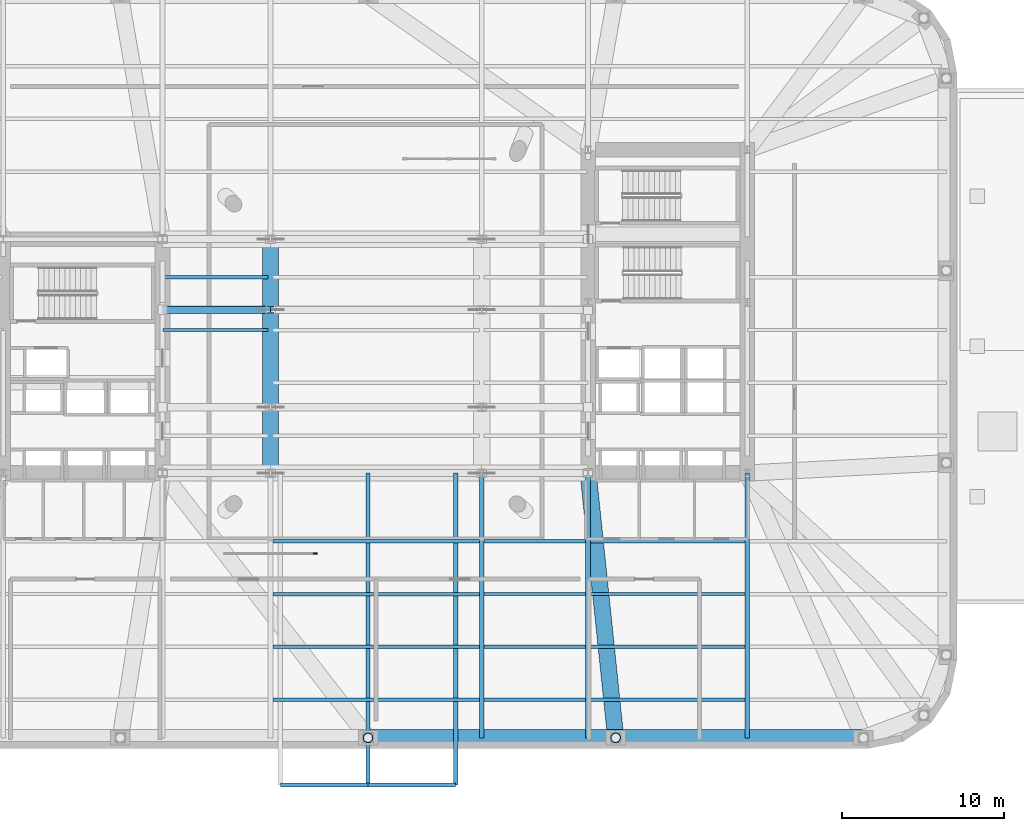
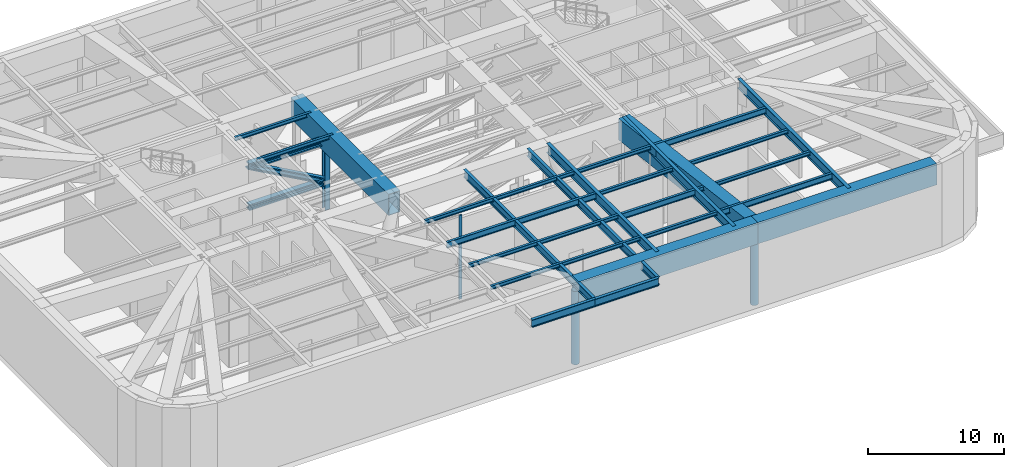
# One storey, part 3 of 15: 25 beams, 7 members, 1 element without a shape of its own.
"""IFC4 building model written with IfcOpenShell, lengths in metres."""

import ifcopenshell
import ifcopenshell.guid

model = None  # the IFC model being written
_history = None  # IfcOwnerHistory: only IFC2X3 demands one
_inside = {}  # id of a spatial element -> (the spatial element, [elements in it])
_under = {}  # id of a project, library or spatial element -> (it, [spatial elements below it])
_declared = {}  # id of a project -> (the project, [libraries it declares])
_typed = {}  # id of a type object -> (the type object, [elements of that type])
_made_of = {}  # id of a material, layer set ... -> (it, [elements and type objects made of it])


def new_model(schema):
    """Start an empty IFC model of exactly this schema.

    Asked for "IFC4X3", IfcOpenShell would pick the latest addendum, in which some entities
    have other attributes; the version numbers below select the first issue.
    IFC2X3 requires an IfcOwnerHistory on every rooted entity: one is made here for all.
    """
    global model, _history
    if schema == "IFC4X3":
        model = ifcopenshell.file(schema_version=(4, 3, 0, 0))
    else:
        model = ifcopenshell.file(schema=schema)
    _inside.clear()
    _under.clear()
    _declared.clear()
    _typed.clear()
    _made_of.clear()
    _history = None
    if model.schema == "IFC2X3":
        org = make("IfcOrganization", Name="unknown")
        user = make(
            "IfcPersonAndOrganization",
            ThePerson=make("IfcPerson", FamilyName="unknown"),
            TheOrganization=org,
        )
        app = make(
            "IfcApplication",
            ApplicationDeveloper=org,
            Version="unknown",
            ApplicationFullName="unknown",
            ApplicationIdentifier="unknown",
        )
        _history = make(
            "IfcOwnerHistory",
            OwningUser=user,
            OwningApplication=app,
            ChangeAction="ADDED",
            CreationDate=0,
        )
    return model


def make(cls, **values):
    """One entity of the class cls with the attributes given. An attribute that is None is left unset."""
    return model.create_entity(
        cls, **{name: value for name, value in values.items() if value is not None}
    )


def rooted(cls, **values):
    """An entity with a GlobalId (a new one), such as an element, a storey or a relation."""
    return make(cls, GlobalId=ifcopenshell.guid.new(), OwnerHistory=_history, **values)


def si_unit(unit_type, name, prefix=None):
    """IfcSIUnit, for example si_unit("LENGTHUNIT", "METRE", prefix="MILLI")."""
    return make("IfcSIUnit", UnitType=unit_type, Prefix=prefix, Name=name)


def assignment(units):
    """IfcUnitAssignment: the units of a project."""
    return None if units is None else make("IfcUnitAssignment", Units=units)


def point(xyz):
    """IfcCartesianPoint."""
    return None if xyz is None else make("IfcCartesianPoint", Coordinates=xyz)


def direction(xyz):
    """IfcDirection."""
    return None if xyz is None else make("IfcDirection", DirectionRatios=xyz)


def frame(location, z_axis=None, x_axis=None):
    """IfcAxis2Placement3D, a coordinate frame: its origin and axes. An axis left out is left unset."""
    return make(
        "IfcAxis2Placement3D",
        Location=point(location),
        Axis=direction(z_axis),
        RefDirection=direction(x_axis),
    )


def frame_2d(location, x_axis=None):
    """IfcAxis2Placement2D, a coordinate frame in the plane: its origin and x axis."""
    return make(
        "IfcAxis2Placement2D", Location=point(location), RefDirection=direction(x_axis)
    )


def origin():
    """The frame at (0, 0, 0) with its axes left unset."""
    return frame((0.0, 0.0, 0.0))


def origin_2d():
    """The frame at (0, 0) in the plane with its x axis left unset."""
    return frame_2d((0.0, 0.0))


def place(relative_to, where):
    """IfcLocalPlacement: puts the frame where relative to a parent placement (None: the world)."""
    return make(
        "IfcLocalPlacement", PlacementRelTo=relative_to, RelativePlacement=where
    )


def context(
    kind, dimensions, precision=None, world=None, true_north=None, identifier=None
):
    """IfcGeometricRepresentationContext, for example the 3D "Model" context."""
    return make(
        "IfcGeometricRepresentationContext",
        ContextIdentifier=identifier,
        ContextType=kind,
        CoordinateSpaceDimension=dimensions,
        Precision=precision,
        WorldCoordinateSystem=world,
        TrueNorth=true_north,
    )


def subcontext(parent, identifier, kind, view, scale=None):
    """IfcGeometricRepresentationSubContext, for example "Body" below "Model"."""
    return make(
        "IfcGeometricRepresentationSubContext",
        ContextIdentifier=identifier,
        ContextType=kind,
        ParentContext=parent,
        TargetScale=scale,
        TargetView=view,
    )


def project(units=None, contexts=None):
    """IfcProject with its units and contexts."""
    return rooted(
        "IfcProject",
        Name="project",
        RepresentationContexts=contexts,
        UnitsInContext=assignment(units),
    )


def spatial(cls, under=None, at=None, **own):
    """A site, building, storey or space (cls), placed at a placement, below another one or the project."""
    s = rooted(cls, ObjectPlacement=at, **own)
    if under is not None:
        _under.setdefault(under.id(), (under, []))[1].append(s)
    return s


def profile(cls, at=None, kind="AREA", **sizes):
    """A parametric profile (cls). Its sizes go by their IFC names, for example OverallWidth=200.0."""
    return make(cls, ProfileType=kind, Position=at, **sizes)


def rectangle(**sizes):
    """IfcRectangleProfileDef."""
    return profile("IfcRectangleProfileDef", **sizes)


def hollow_rectangle(**sizes):
    """IfcRectangleHollowProfileDef."""
    return profile("IfcRectangleHollowProfileDef", **sizes)


def hollow_circle(**sizes):
    """IfcCircleHollowProfileDef."""
    return profile("IfcCircleHollowProfileDef", **sizes)


def i_section(**sizes):
    """IfcIShapeProfileDef."""
    return profile("IfcIShapeProfileDef", **sizes)


def extrude(swept, where, along, depth):
    """IfcExtrudedAreaSolid: the profile swept, set in the frame where, extruded along a direction by depth."""
    return make(
        "IfcExtrudedAreaSolid",
        SweptArea=swept,
        Position=where,
        ExtrudedDirection=direction(along),
        Depth=depth,
    )


def shape(context_of_items, identifier, shape_type, items):
    """IfcShapeRepresentation: the items that make up one representation, for example the "Body"."""
    return make(
        "IfcShapeRepresentation",
        ContextOfItems=context_of_items,
        RepresentationIdentifier=identifier,
        RepresentationType=shape_type,
        Items=items,
    )


def material(Name=None, Category=None):
    """IfcMaterial."""
    return make("IfcMaterial", Name=Name, Category=Category)


def material_profile(
    of_material, cross_section, Name=None, Category=None, Priority=None
):
    """IfcMaterialProfile: a cross section and its material."""
    return make(
        "IfcMaterialProfile",
        Name=Name,
        Material=of_material,
        Profile=cross_section,
        Priority=Priority,
        Category=Category,
    )


def profile_set(profiles, Name=None, composite=None):
    """IfcMaterialProfileSet."""
    return make(
        "IfcMaterialProfileSet",
        Name=Name,
        MaterialProfiles=profiles,
        CompositeProfile=composite,
    )


def made_of(thing, what):
    """Note that an element or type object is made of a material, layer set ...; save() writes the relation."""
    if what is not None:
        _made_of.setdefault(what.id(), (what, []))[1].append(thing)
    return thing


def type_object(cls, material=None, **own):
    """A type object (cls), such as IfcWallType, which elements share."""
    return made_of(rooted(cls, **own), material)


def element(
    cls,
    number,
    at=None,
    inside=None,
    cuts=None,
    type_object=None,
    material=None,
    context=None,
    identifier="Body",
    shape_type=None,
    held_by="IfcProductDefinitionShape",
    body=None,
    shapes=None,
    **own,
):
    """One element of the class cls, such as IfcWall. Its Tag is "e" and its number.

    at: its placement. inside: the storey or other place that contains it. cuts: it is an
    opening in that element (IfcRelVoidsElement). A single representation is given by context,
    identifier, shape_type and body (its items); several are given by shapes. held_by: the class
    of the entity that holds the representations. save() writes the other relations.
    """
    e = rooted(cls, Tag="e%d" % number, ObjectPlacement=at, **own)
    if body is not None:
        shapes = [shape(context, identifier, shape_type, body)]
    if shapes is not None:
        e.Representation = make(held_by, Representations=shapes)
    if inside is not None:
        _inside.setdefault(inside.id(), (inside, []))[1].append(e)
    if cuts is not None:
        rooted(
            "IfcRelVoidsElement", RelatingBuildingElement=cuts, RelatedOpeningElement=e
        )
    if type_object is not None:
        _typed.setdefault(type_object.id(), (type_object, []))[1].append(e)
    return made_of(e, material)


def aggregate(whole, parts):
    """IfcRelAggregates: a whole, such as a stair, and the parts it consists of."""
    return rooted("IfcRelAggregates", RelatingObject=whole, RelatedObjects=parts)


def save(model, path):
    """Write the relations noted so far, then the file.

    IfcRelAggregates (storeys below a building ...), IfcRelContainedInSpatialStructure (elements
    in a storey), IfcRelDefinesByType, IfcRelAssociatesMaterial and IfcRelDeclares: one each for
    every whole, place, type object, material and project.
    """
    for whole, parts in _under.values():
        aggregate(whole, parts)
    for where, things in _inside.values():
        rooted(
            "IfcRelContainedInSpatialStructure",
            RelatedElements=things,
            RelatingStructure=where,
        )
    for kind, things in _typed.values():
        rooted("IfcRelDefinesByType", RelatedObjects=things, RelatingType=kind)
    for what, things in _made_of.values():
        rooted("IfcRelAssociatesMaterial", RelatedObjects=things, RelatingMaterial=what)
    for by, libraries in _declared.values():
        rooted("IfcRelDeclares", RelatingContext=by, RelatedDefinitions=libraries)
    model.write(path)


model = new_model("IFC4")

# Units and contexts
model_context = context("Model", 3, precision=1e-05, world=origin(), true_north=direction((0.0, 1.0)))
body_context = subcontext(model_context, "Body", "Model", "MODEL_VIEW")
ifc_project = project(units=[si_unit("LENGTHUNIT", "METRE"), si_unit("AREAUNIT", "SQUARE_METRE"), si_unit("VOLUMEUNIT", "CUBIC_METRE"), si_unit("PLANEANGLEUNIT", "RADIAN"), si_unit("MASSUNIT", "GRAM", prefix="KILO")], contexts=[model_context])

# Site, building, storey
site_placement = place(None, origin())
site = spatial("IfcSite", under=ifc_project, at=site_placement, CompositionType="ELEMENT")
building_placement = place(site_placement, origin())
building = spatial("IfcBuilding", under=site, at=building_placement, Name="Kolvaren Arena Tower", CompositionType="ELEMENT")
storey_placement = place(building_placement, frame((0.0, 0.0, 34.0)))
storey = spatial("IfcBuildingStorey", under=building, at=storey_placement, Name="L06", CompositionType="ELEMENT", Elevation=34.0)

# Beams
ifc_material_1 = material(Name="Steel CSA G40.21 350W", Category="steel")
ifc_material_profile_1 = material_profile(ifc_material_1, i_section(OverallWidth=0.2119140625, OverallDepth=0.54296875, WebThickness=0.01318359375, FlangeThickness=0.0244140625, FilletRadius=0.013916015625, at=origin_2d()), Name="W530x150")
ifc_profile_set_1 = profile_set([ifc_material_profile_1], Name="Steel CSA G40.21 350W")
beam_type_1 = type_object("IfcBeamType", Name="BEAM-F1", PredefinedType="BEAM", material=ifc_profile_set_1)
beam_1_placement = place(storey_placement, frame((50.696044921875, 5.5, 7.278564453125), z_axis=(1.0, 0.0, 0.0), x_axis=(0.0, 1.0, 0.0)))
element("IfcBeam", 1, at=beam_1_placement, inside=storey, type_object=beam_type_1, Name="Composite Floor Beam (L06)", PredefinedType="BEAM", context=body_context, shape_type="SweptSolid", body=[
    extrude(i_section(OverallWidth=0.2119140625, OverallDepth=0.54296875, WebThickness=0.01318359375, FlangeThickness=0.0244140625, FilletRadius=0.013916015625, at=origin_2d()), origin(), (0.0, 0.0, 1.0), 9.508056640625),
])
beam_2_placement = place(storey_placement, frame((44.14599609375, 8.75, 7.278564453125), z_axis=(1.0, 0.0, 0.0), x_axis=(0.0, 1.0, 0.0)))
element("IfcBeam", 2, at=beam_2_placement, inside=storey, type_object=beam_type_1, Name="Composite Floor Beam (L06)", PredefinedType="BEAM", context=body_context, shape_type="SweptSolid", body=[
    extrude(i_section(OverallWidth=0.2119140625, OverallDepth=0.54296875, WebThickness=0.01318359375, FlangeThickness=0.0244140625, FilletRadius=0.013916015625, at=origin_2d()), origin(), (0.0, 0.0, 1.0), 6.258056640625),
])
beam_3_placement = place(storey_placement, frame((31.14599609375, 12.0, 7.278564453125), z_axis=(1.0, 0.0, 0.0), x_axis=(0.0, 1.0, 0.0)))
element("IfcBeam", 3, at=beam_3_placement, inside=storey, type_object=beam_type_1, Name="Composite Floor Beam (L06)", PredefinedType="BEAM", context=body_context, shape_type="SweptSolid", body=[
    extrude(i_section(OverallWidth=0.2119140625, OverallDepth=0.54296875, WebThickness=0.01318359375, FlangeThickness=0.0244140625, FilletRadius=0.013916015625, at=origin_2d()), origin(), (0.0, 0.0, 1.0), 12.7080078125),
])
beam_4_placement = place(storey_placement, frame((50.696044921875, 15.25, 7.278564453125), z_axis=(1.0, 0.0, 0.0), x_axis=(0.0, 1.0, 0.0)))
element("IfcBeam", 4, at=beam_4_placement, inside=storey, type_object=beam_type_1, Name="Composite Floor Beam (L06)", PredefinedType="BEAM", context=body_context, shape_type="SweptSolid", body=[
    extrude(i_section(OverallWidth=0.2119140625, OverallDepth=0.54296875, WebThickness=0.01318359375, FlangeThickness=0.0244140625, FilletRadius=0.013916015625, at=origin_2d()), origin(), (0.0, 0.0, 1.0), 9.508056640625),
])

# Curtain wall, member
ifc_material_2 = material(Name="Anodised aluminium unitised curtain wall", Category="aluminium")
curtain_wall_type = type_object("IfcCurtainWallType", Name="CW-SYS-05", PredefinedType="USERDEFINED", material=ifc_material_2)
curtain_wall_placement = place(storey_placement, origin())
curtain_wall = element("IfcCurtainWall", 5, at=curtain_wall_placement, inside=storey, type_object=curtain_wall_type, Name="Mechanical Plant Louvre Curtain Wall (L06)", ObjectType="ACOUSTIC LOUVRE SCREEN", PredefinedType="USERDEFINED")
ifc_material_3 = material(Name="Anodised aluminium 6063-T6", Category="aluminium")
ifc_material_profile_2 = material_profile(ifc_material_3, rectangle(XDim=0.10009765625, YDim=0.239990234375, at=origin_2d()), Name="ALU-100x240")
ifc_profile_set_2 = profile_set([ifc_material_profile_2], Name="Anodised aluminium 6063-T6")
member_type_1 = type_object("IfcMemberType", Name="CWM-HVY", PredefinedType="MULLION", material=ifc_profile_set_2)
member_1_placement = place(storey_placement, frame((33.75, 14.5, 0.0), z_axis=(0.0, 0.0, 1.0), x_axis=(0.0, 1.0, 0.0)))
member_1 = element("IfcMember", 6, at=member_1_placement, type_object=member_type_1, Name="CW5 mullion 3", PredefinedType="MULLION", context=body_context, shape_type="SweptSolid", body=[
    extrude(rectangle(XDim=0.10009765625, YDim=0.239990234375, at=origin_2d()), origin(), (0.0, 0.0, 1.0), 7.550048828125),
])
aggregate(curtain_wall, [member_1])

# Members
ifc_material_4 = material(Name="Steel CSA G40.21 350WT", Category="steel")
ifc_material_profile_3 = material_profile(ifc_material_4, hollow_circle(Radius=0.304931640625, WallThickness=0.028076171875, at=origin_2d()), Name="CHS 610x28")
ifc_profile_set_3 = profile_set([ifc_material_profile_3], Name="Steel CSA G40.21 350WT")
member_type_2 = type_object("IfcMemberType", Name="EXO-STRUT1", PredefinedType="STRUT", material=ifc_profile_set_3)
for number, where, z_axis, x_axis, name in (
    (7, (37.0, 3.14990234375, 0.0), (0.0, 0.0, 1.0), (1.0, 0.0, 0.0), "B1 Transfer Exoskeleton Strut 03"),
    (8, (52.25, 3.14990234375, 0.0), (0.0, 0.0, 1.0), (1.0, 0.0, 0.0), "B1 Transfer Exoskeleton Strut 04"),
):
    element("IfcMember", number, at=place(storey_placement, frame(where, z_axis=z_axis, x_axis=x_axis)), inside=storey, type_object=member_type_2, Name=name, PredefinedType="STRUT", context=body_context, shape_type="SweptSolid", body=[
        extrude(hollow_circle(Radius=0.304931640625, WallThickness=0.028076171875, at=origin_2d()), origin(), (0.0, 0.0, 1.0), 6.590087890625),
    ])

# Beams
ifc_material_profile_4 = material_profile(ifc_material_1, i_section(OverallWidth=0.2919921875, OverallDepth=0.85498046875, WebThickness=0.02099609375, FlangeThickness=0.03564453125, FilletRadius=0.01806640625, at=origin_2d()), Name="W840x299")
ifc_profile_set_4 = profile_set([ifc_material_profile_4], Name="Steel CSA G40.21 350W")
beam_type_2 = type_object("IfcBeamType", Name="GIRD-P1", PredefinedType="BEAM", material=ifc_profile_set_4)
beam_5_placement = place(storey_placement, frame((44.0, 3.14990234375, 7.12255859375), z_axis=(0.0, 1.0, 0.0), x_axis=(-1.0, 0.0, 0.0)))
element("IfcBeam", 9, at=beam_5_placement, inside=storey, type_object=beam_type_2, Name="Primary Floor Girder (L06)", PredefinedType="BEAM", context=body_context, shape_type="SweptSolid", body=[
    extrude(i_section(OverallWidth=0.2919921875, OverallDepth=0.85498046875, WebThickness=0.02099609375, FlangeThickness=0.03564453125, FilletRadius=0.01806640625, at=origin_2d()), origin(), (0.0, 0.0, 1.0), 16.154052734375),
])
for number, where, z_axis, x_axis, name in (
    (10, (50.550048828125, 3.14990234375, 7.12255859375), (0.0, 1.0, 0.0), (-1.0, 0.0, 0.0), "Primary Floor Girder (L06)"),
    (11, (60.35009765625, 3.14990234375, 7.12255859375), (0.0, 1.0, 0.0), (-1.0, 0.0, 0.0), "Primary Floor Girder (L06)"),
):
    element("IfcBeam", number, at=place(storey_placement, frame(where, z_axis=z_axis, x_axis=x_axis)), inside=storey, type_object=beam_type_2, Name=name, PredefinedType="BEAM", context=body_context, shape_type="SweptSolid", body=[
        extrude(i_section(OverallWidth=0.2919921875, OverallDepth=0.85498046875, WebThickness=0.02099609375, FlangeThickness=0.03564453125, FilletRadius=0.01806640625, at=origin_2d()), origin(), (0.0, 0.0, 1.0), 16.300048828125),
    ])
ifc_material_profile_5 = material_profile(ifc_material_1, i_section(OverallWidth=0.2548828125, OverallDepth=0.695068359375, WebThickness=0.01708984375, FlangeThickness=0.02978515625, FilletRadius=0.01611328125, at=origin_2d()), Name="W690x217")
ifc_profile_set_5 = profile_set([ifc_material_profile_5], Name="Steel CSA G40.21 350W")
beam_type_3 = type_object("IfcBeamType", Name="GIRD-T2", PredefinedType="BEAM", material=ifc_profile_set_5)
for number, where, z_axis, x_axis, name in (
    (12, (37.0, 19.449951171875, 7.202392578125), (0.0, -1.0, 0.0), (1.0, 0.0, 0.0), "Terrace Cantilever Support Girder (L07)"),
    (13, (42.39990234375, 19.449951171875, 7.202392578125), (0.0, -1.0, 0.0), (1.0, 0.0, 0.0), "Terrace Cantilever Support Girder (L07)"),
):
    element("IfcBeam", number, at=place(storey_placement, frame(where, z_axis=z_axis, x_axis=x_axis)), inside=storey, type_object=beam_type_3, Name=name, PredefinedType="BEAM", context=body_context, shape_type="SweptSolid", body=[
        extrude(i_section(OverallWidth=0.2548828125, OverallDepth=0.695068359375, WebThickness=0.01708984375, FlangeThickness=0.02978515625, FilletRadius=0.01611328125, at=origin_2d()), origin(), (0.0, 0.0, 1.0), 19.199951171875),
    ])
for number, where, z_axis, x_axis, name in (
    (14, (31.60009765625, 0.25, 7.202392578125), (1.0, 0.0, 0.0), (0.0, 1.0, 0.0), "Terrace Edge Fascia Beam (L07)"),
    (15, (37.0, 0.25, 7.202392578125), (1.0, 0.0, 0.0), (0.0, 1.0, 0.0), "Terrace Edge Fascia Beam (L07)"),
):
    element("IfcBeam", number, at=place(storey_placement, frame(where, z_axis=z_axis, x_axis=x_axis)), inside=storey, type_object=beam_type_3, Name=name, PredefinedType="BEAM", context=body_context, shape_type="SweptSolid", body=[
        extrude(i_section(OverallWidth=0.2548828125, OverallDepth=0.695068359375, WebThickness=0.01708984375, FlangeThickness=0.02978515625, FilletRadius=0.01611328125, at=origin_2d()), origin(), (0.0, 0.0, 1.0), 5.39990234375),
    ])
ifc_material_profile_6 = material_profile(ifc_material_1, i_section(OverallWidth=0.202880859375, OverallDepth=0.346923828125, WebThickness=0.0078125, FlangeThickness=0.013427734375, FilletRadius=0.010986328125, at=origin_2d()), Name="W360x64")
ifc_profile_set_6 = profile_set([ifc_material_profile_6], Name="Steel CSA G40.21 350W")
beam_type_4 = type_object("IfcBeamType", Name="JOIST-01", PredefinedType="JOIST", material=ifc_profile_set_6)
beam_6_placement = place(storey_placement, frame((31.14599609375, 5.5, 7.37646484375), z_axis=(1.0, 0.0, 0.0), x_axis=(0.0, 1.0, 0.0)))
element("IfcBeam", 16, at=beam_6_placement, inside=storey, type_object=beam_type_4, Name="Composite Floor Joist (L06)", PredefinedType="JOIST", context=body_context, shape_type="SweptSolid", body=[
    extrude(i_section(OverallWidth=0.202880859375, OverallDepth=0.346923828125, WebThickness=0.0078125, FlangeThickness=0.013427734375, FilletRadius=0.010986328125, at=origin_2d()), origin(), (0.0, 0.0, 1.0), 12.7080078125),
])
beam_7_placement = place(storey_placement, frame((44.14599609375, 5.5, 7.37646484375), z_axis=(1.0, 0.0, 0.0), x_axis=(0.0, 1.0, 0.0)))
element("IfcBeam", 17, at=beam_7_placement, inside=storey, type_object=beam_type_4, Name="Composite Floor Joist (L06)", PredefinedType="JOIST", context=body_context, shape_type="SweptSolid", body=[
    extrude(i_section(OverallWidth=0.202880859375, OverallDepth=0.346923828125, WebThickness=0.0078125, FlangeThickness=0.013427734375, FilletRadius=0.010986328125, at=origin_2d()), origin(), (0.0, 0.0, 1.0), 6.258056640625),
])
beam_8_placement = place(storey_placement, frame((31.14599609375, 8.75, 7.37646484375), z_axis=(1.0, 0.0, 0.0), x_axis=(0.0, 1.0, 0.0)))
element("IfcBeam", 18, at=beam_8_placement, inside=storey, type_object=beam_type_4, Name="Composite Floor Joist (L06)", PredefinedType="JOIST", context=body_context, shape_type="SweptSolid", body=[
    extrude(i_section(OverallWidth=0.202880859375, OverallDepth=0.346923828125, WebThickness=0.0078125, FlangeThickness=0.013427734375, FilletRadius=0.010986328125, at=origin_2d()), origin(), (0.0, 0.0, 1.0), 12.7080078125),
])
beam_9_placement = place(storey_placement, frame((50.696044921875, 8.75, 7.37646484375), z_axis=(1.0, 0.0, 0.0), x_axis=(0.0, 1.0, 0.0)))
element("IfcBeam", 19, at=beam_9_placement, inside=storey, type_object=beam_type_4, Name="Composite Floor Joist (L06)", PredefinedType="JOIST", context=body_context, shape_type="SweptSolid", body=[
    extrude(i_section(OverallWidth=0.202880859375, OverallDepth=0.346923828125, WebThickness=0.0078125, FlangeThickness=0.013427734375, FilletRadius=0.010986328125, at=origin_2d()), origin(), (0.0, 0.0, 1.0), 9.508056640625),
])
beam_10_placement = place(storey_placement, frame((44.14599609375, 12.0, 7.37646484375), z_axis=(1.0, 0.0, 0.0), x_axis=(0.0, 1.0, 0.0)))
element("IfcBeam", 20, at=beam_10_placement, inside=storey, type_object=beam_type_4, Name="Composite Floor Joist (L06)", PredefinedType="JOIST", context=body_context, shape_type="SweptSolid", body=[
    extrude(i_section(OverallWidth=0.202880859375, OverallDepth=0.346923828125, WebThickness=0.0078125, FlangeThickness=0.013427734375, FilletRadius=0.010986328125, at=origin_2d()), origin(), (0.0, 0.0, 1.0), 6.258056640625),
])
beam_11_placement = place(storey_placement, frame((50.696044921875, 12.0, 7.37646484375), z_axis=(1.0, 0.0, 0.0), x_axis=(0.0, 1.0, 0.0)))
element("IfcBeam", 21, at=beam_11_placement, inside=storey, type_object=beam_type_4, Name="Composite Floor Joist (L06)", PredefinedType="JOIST", context=body_context, shape_type="SweptSolid", body=[
    extrude(i_section(OverallWidth=0.202880859375, OverallDepth=0.346923828125, WebThickness=0.0078125, FlangeThickness=0.013427734375, FilletRadius=0.010986328125, at=origin_2d()), origin(), (0.0, 0.0, 1.0), 9.508056640625),
])
beam_12_placement = place(storey_placement, frame((31.14599609375, 15.25, 7.37646484375), z_axis=(1.0, 0.0, 0.0), x_axis=(0.0, 1.0, 0.0)))
element("IfcBeam", 22, at=beam_12_placement, inside=storey, type_object=beam_type_4, Name="Composite Floor Joist (L06)", PredefinedType="JOIST", context=body_context, shape_type="SweptSolid", body=[
    extrude(i_section(OverallWidth=0.202880859375, OverallDepth=0.346923828125, WebThickness=0.0078125, FlangeThickness=0.013427734375, FilletRadius=0.010986328125, at=origin_2d()), origin(), (0.0, 0.0, 1.0), 12.7080078125),
])
beam_13_placement = place(storey_placement, frame((44.14599609375, 15.25, 7.37646484375), z_axis=(1.0, 0.0, 0.0), x_axis=(0.0, 1.0, 0.0)))
element("IfcBeam", 23, at=beam_13_placement, inside=storey, type_object=beam_type_4, Name="Composite Floor Joist (L06)", PredefinedType="JOIST", context=body_context, shape_type="SweptSolid", body=[
    extrude(i_section(OverallWidth=0.202880859375, OverallDepth=0.346923828125, WebThickness=0.0078125, FlangeThickness=0.013427734375, FilletRadius=0.010986328125, at=origin_2d()), origin(), (0.0, 0.0, 1.0), 6.258056640625),
])
for number, where, z_axis, x_axis, name in (
    (24, (24.3701171875, 28.25, 7.37646484375), (1.0, 0.0, 0.0), (0.0, 1.0, 0.0), "Composite Floor Joist (L06)"),
    (25, (24.3701171875, 31.5, 7.37646484375), (1.0, 0.0, 0.0), (0.0, 1.0, 0.0), "Composite Floor Joist (L06)"),
):
    element("IfcBeam", number, at=place(storey_placement, frame(where, z_axis=z_axis, x_axis=x_axis)), inside=storey, type_object=beam_type_4, Name=name, PredefinedType="JOIST", context=body_context, shape_type="SweptSolid", body=[
        extrude(i_section(OverallWidth=0.202880859375, OverallDepth=0.346923828125, WebThickness=0.0078125, FlangeThickness=0.013427734375, FilletRadius=0.010986328125, at=origin_2d()), origin(), (0.0, 0.0, 1.0), 6.48388671875),
    ])

# Members
ifc_material_5 = material(Name="Steel ASTM A913 Grade 65", Category="steel")
ifc_material_profile_7 = material_profile(ifc_material_5, i_section(OverallWidth=0.44189453125, OverallDepth=0.531005859375, WebThickness=0.0654296875, FlangeThickness=0.10595703125, FilletRadius=0.02001953125, at=origin_2d()), Name="W360x900")
ifc_profile_set_7 = profile_set([ifc_material_profile_7], Name="Steel ASTM A913 Grade 65")
member_type_3 = type_object("IfcMemberType", Name="MCHORD-BOT", PredefinedType="CHORD", material=ifc_profile_set_7)
member_2_placement = place(storey_placement, frame((24.35009765625, 29.5, 2.5), z_axis=(1.0, 0.0, 0.0), x_axis=(0.0, 1.0, 0.0)))
element("IfcMember", 26, at=member_2_placement, inside=storey, type_object=member_type_3, Name="Mega-Transfer Truss 3 Bottom Chord", PredefinedType="CHORD", context=body_context, shape_type="SweptSolid", body=[
    extrude(i_section(OverallWidth=0.44189453125, OverallDepth=0.531005859375, WebThickness=0.0654296875, FlangeThickness=0.10595703125, FilletRadius=0.02001953125, at=origin_2d()), origin(), (0.0, 0.0, 1.0), 6.64990234375),
])
ifc_material_profile_8 = material_profile(ifc_material_5, i_section(OverallWidth=0.4541015625, OverallDepth=0.569091796875, WebThickness=0.077880859375, FlangeThickness=0.125, FilletRadius=0.02001953125, at=origin_2d()), Name="W360x1086")
ifc_profile_set_8 = profile_set([ifc_material_profile_8], Name="Steel ASTM A913 Grade 65")
member_type_4 = type_object("IfcMemberType", Name="MCHORD-TOP", PredefinedType="CHORD", material=ifc_profile_set_8)
member_3_placement = place(storey_placement, frame((24.35009765625, 29.5, 6.18994140625), z_axis=(1.0, 0.0, 0.0), x_axis=(0.0, 1.0, 0.0)))
element("IfcMember", 27, at=member_3_placement, inside=storey, type_object=member_type_4, Name="Mega-Transfer Truss 3 Top Chord", PredefinedType="CHORD", context=body_context, shape_type="SweptSolid", body=[
    extrude(i_section(OverallWidth=0.4541015625, OverallDepth=0.569091796875, WebThickness=0.077880859375, FlangeThickness=0.125, FilletRadius=0.02001953125, at=origin_2d()), origin(), (0.0, 0.0, 1.0), 6.64990234375),
])
ifc_material_profile_9 = material_profile(ifc_material_5, i_section(OverallWidth=0.431884765625, OverallDepth=0.498046875, WebThickness=0.0556640625, FlangeThickness=0.0888671875, FilletRadius=0.02001953125, at=origin_2d()), Name="W360x744")
ifc_profile_set_9 = profile_set([ifc_material_profile_9], Name="Steel ASTM A913 Grade 65")
member_type_5 = type_object("IfcMemberType", Name="MDIAG-01", PredefinedType="BRACE", material=ifc_profile_set_9)
member_4_placement = place(storey_placement, frame((24.35009765625, 29.5, 6.18994140625), z_axis=(0.874405501244, 0.0, -0.485195856737), x_axis=(0.0, 1.0, 0.0)))
element("IfcMember", 28, at=member_4_placement, inside=storey, type_object=member_type_5, Name="Mega-Transfer Truss 3 Web Diagonal", PredefinedType="BRACE", context=body_context, shape_type="SweptSolid", body=[
    extrude(i_section(OverallWidth=0.431884765625, OverallDepth=0.498046875, WebThickness=0.0556640625, FlangeThickness=0.0888671875, FilletRadius=0.02001953125, at=origin_2d()), origin(), (0.0, 0.0, 1.0), 7.60498046875),
])
ifc_material_profile_10 = material_profile(ifc_material_5, i_section(OverallWidth=0.41796875, OverallDepth=0.455078125, WebThickness=0.0419921875, FlangeThickness=0.067626953125, FilletRadius=0.02001953125, at=origin_2d()), Name="W360x551")
ifc_profile_set_10 = profile_set([ifc_material_profile_10], Name="Steel ASTM A913 Grade 65")
member_type_6 = type_object("IfcMemberType", Name="MPOST-01", PredefinedType="POST", material=ifc_profile_set_10)
member_5_placement = place(storey_placement, frame((31.0, 29.5, 0.0), z_axis=(0.0, 0.0, 1.0), x_axis=(1.0, 0.0, 0.0)))
element("IfcMember", 29, at=member_5_placement, inside=storey, type_object=member_type_6, Name="Mega-Transfer Truss 3 Vertical Post", PredefinedType="POST", context=body_context, shape_type="SweptSolid", body=[
    extrude(i_section(OverallWidth=0.41796875, OverallDepth=0.455078125, WebThickness=0.0419921875, FlangeThickness=0.067626953125, FilletRadius=0.02001953125, at=origin_2d()), origin(), (0.0, 0.0, 1.0), 6.239990234375),
])

# Beams
ifc_material_profile_11 = material_profile(ifc_material_4, hollow_rectangle(XDim=1.0, YDim=1.919921875, WallThickness=0.044921875, at=origin_2d()), Name="BOX 1000x1920x45")
ifc_profile_set_11 = profile_set([ifc_material_profile_11], Name="Steel CSA G40.21 350WT")
beam_type_5 = type_object("IfcBeamType", Name="TG-MEGA", PredefinedType="USERDEFINED", material=ifc_profile_set_11)
for number, where, z_axis, x_axis, name in (
    (30, (37.0, 3.14990234375, 6.590087890625), (1.0, 0.0, 0.0), (0.0, 1.0, 0.0), "B1 Perimeter Transfer Ring Girder 03"),
    (31, (52.25, 3.14990234375, 6.590087890625), (1.0, 0.0, 0.0), (0.0, 1.0, 0.0), "B1 Perimeter Transfer Ring Girder 04"),
):
    element("IfcBeam", number, at=place(storey_placement, frame(where, z_axis=z_axis, x_axis=x_axis)), inside=storey, type_object=beam_type_5, Name=name, ObjectType="TRANSFER GIRDER", PredefinedType="USERDEFINED", context=body_context, shape_type="SweptSolid", body=[
        extrude(hollow_rectangle(XDim=1.0, YDim=1.919921875, WallThickness=0.044921875, at=origin_2d()), origin(), (0.0, 0.0, 1.0), 15.25),
    ])
beam_14_placement = place(storey_placement, frame((52.25, 3.14990234375, 6.590087890625), z_axis=(-0.103728586469, 0.994605640618, 0.0), x_axis=(-0.994605640618, -0.103728586469, 0.0)))
element("IfcBeam", 32, at=beam_14_placement, inside=storey, type_object=beam_type_5, Name="B1 Cantilever Radial Transfer Girder 04", ObjectType="TRANSFER GIRDER", PredefinedType="USERDEFINED", context=body_context, shape_type="SweptSolid", body=[
    extrude(hollow_rectangle(XDim=1.0, YDim=1.919921875, WallThickness=0.044921875, at=origin_2d()), origin(), (0.0, 0.0, 1.0), 16.388427734375),
])
beam_15_placement = place(storey_placement, frame((31.0, 19.449951171875, 6.570068359375), z_axis=(0.0, 1.0, 0.0), x_axis=(-1.0, 0.0, 0.0)))
element("IfcBeam", 33, at=beam_15_placement, inside=storey, type_object=beam_type_5, Name="Mega-Transfer Transverse Girder 1", ObjectType="TRANSFER GIRDER", PredefinedType="USERDEFINED", context=body_context, shape_type="SweptSolid", body=[
    extrude(hollow_rectangle(XDim=1.0, YDim=1.919921875, WallThickness=0.044921875, at=origin_2d()), origin(), (0.0, 0.0, 1.0), 14.400146484375),
])

save(model, "model.ifc")
